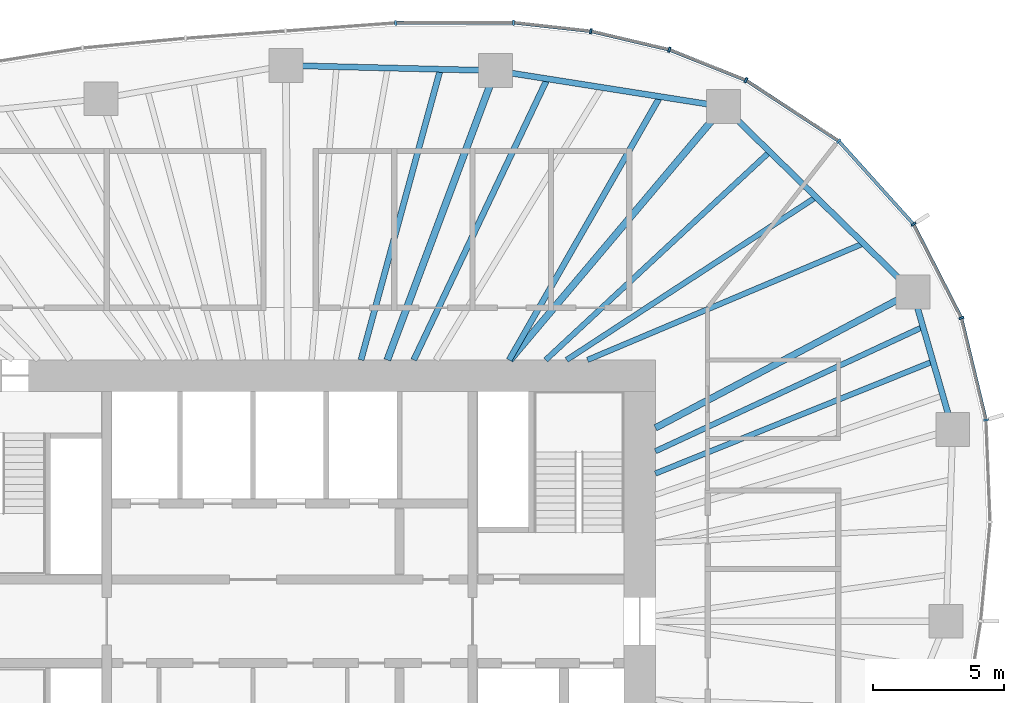
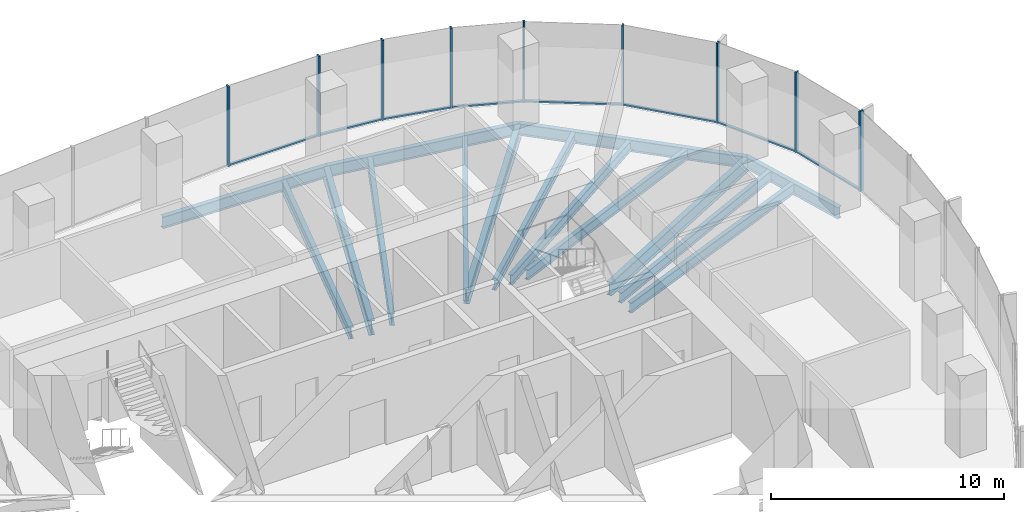
# One storey, part 6 of 11: 17 members, 15 beams, 4 elements without a shape of their own.
"""IFC4 building model written with IfcOpenShell, lengths in metres."""

from ifc_helpers import new_model, si_unit, direction, frame, origin, origin_2d, place, context, subcontext, project, spatial, rectangle, i_section, extrude, material, material_profile, profile_set, type_object, element, aggregate, save


model = new_model("IFC4")

# Units and contexts
model_context = context("Model", 3, precision=1e-05, world=origin(), true_north=direction((0.0, 1.0)))
body_context = subcontext(model_context, "Body", "Model", "MODEL_VIEW")
ifc_project = project(units=[si_unit("LENGTHUNIT", "METRE"), si_unit("AREAUNIT", "SQUARE_METRE"), si_unit("VOLUMEUNIT", "CUBIC_METRE"), si_unit("PLANEANGLEUNIT", "RADIAN"), si_unit("MASSUNIT", "GRAM", prefix="KILO")], contexts=[model_context])

# Site, building, storey
site_placement = place(None, origin())
site = spatial("IfcSite", under=ifc_project, at=site_placement, CompositionType="ELEMENT")
building_placement = place(site_placement, origin())
building = spatial("IfcBuilding", under=site, at=building_placement, Name="Ghaith Harvest Tower", CompositionType="ELEMENT")
storey_placement = place(building_placement, frame((0.0, 0.0, 211.60009765625)))
storey = spatial("IfcBuildingStorey", under=building, at=storey_placement, Name="L46", CompositionType="ELEMENT", Elevation=211.60009765625)

# Curtain wall, members
ifc_material_1 = material(Name="Black anodised aluminium and fritted glass", Category="aluminium")
curtain_wall_type = type_object("IfcCurtainWallType", Name="CW-H CURTAIN WALL", PredefinedType="NOTDEFINED", material=ifc_material_1)
curtain_wall_1_placement = place(storey_placement, origin())
curtain_wall_1 = element("IfcCurtainWall", 1, at=curtain_wall_1_placement, inside=storey, type_object=curtain_wall_type, Name="Curtain wall CW-H bay 02 L46", PredefinedType="NOTDEFINED")
ifc_material_2 = material(Name="Aluminium, black anodised", Category="aluminium")
ifc_material_profile_1 = material_profile(ifc_material_2, rectangle(XDim=0.080078125, YDim=0.199951171875, at=origin_2d()), Name="CW-H MULLION 80x200")
ifc_profile_set_1 = profile_set([ifc_material_profile_1], Name="Aluminium, black anodised")
member_type_1 = type_object("IfcMemberType", Name="CW-H MULLION 80x200", PredefinedType="MULLION", material=ifc_profile_set_1)
member_1_placement = place(storey_placement, frame((26.646484375, 7.701416015625, 0.0), z_axis=(0.0, 0.0, 1.0), x_axis=(-0.139146256981, 0.990271841046, 0.0)))
member_1 = element("IfcMember", 2, at=member_1_placement, type_object=member_type_1, Name="CW-H mullion 1 bay 02 L46", PredefinedType="MULLION", context=body_context, shape_type="SweptSolid", body=[
    extrude(rectangle(XDim=0.080078125, YDim=0.199951171875, at=origin_2d()), origin(), (0.0, 0.0, 1.0), 4.199951171875),
])
member_2_placement = place(storey_placement, frame((25.707275390625, 11.60546875, 0.0), z_axis=(0.0, 0.0, 1.0), x_axis=(-0.347012123561, 0.93786064322, 0.0)))
member_2 = element("IfcMember", 3, at=member_2_placement, type_object=member_type_1, Name="CW-H mullion 2 bay 02 L46", PredefinedType="MULLION", context=body_context, shape_type="SweptSolid", body=[
    extrude(rectangle(XDim=0.080078125, YDim=0.199951171875, at=origin_2d()), origin(), (0.0, 0.0, 1.0), 4.199951171875),
])

curtain_wall_2_placement = place(storey_placement, origin())
curtain_wall_2 = element("IfcCurtainWall", 4, at=curtain_wall_2_placement, inside=storey, type_object=curtain_wall_type, Name="Curtain wall CW-H bay 03 L46", PredefinedType="NOTDEFINED")
member_3_placement = place(storey_placement, frame((23.874267578125, 15.19384765625, 0.0), z_axis=(0.0, 0.0, 1.0), x_axis=(-0.569847382909, 0.821750546207, 0.0)))
member_3 = element("IfcMember", 5, at=member_3_placement, type_object=member_type_1, Name="CW-H mullion 1 bay 03 L46", PredefinedType="MULLION", context=body_context, shape_type="SweptSolid", body=[
    extrude(rectangle(XDim=0.080078125, YDim=0.199951171875, at=origin_2d()), origin(), (0.0, 0.0, 1.0), 4.199951171875),
])
member_4_placement = place(storey_placement, frame((21.013427734375, 18.374267578125, 0.0), z_axis=(0.0, 0.0, 1.0), x_axis=(-0.758541332755, 0.651624927778, 0.0)))
member_4 = element("IfcMember", 6, at=member_4_placement, type_object=member_type_1, Name="CW-H mullion 2 bay 03 L46", PredefinedType="MULLION", context=body_context, shape_type="SweptSolid", body=[
    extrude(rectangle(XDim=0.080078125, YDim=0.199951171875, at=origin_2d()), origin(), (0.0, 0.0, 1.0), 4.199951171875),
])

curtain_wall_3_placement = place(storey_placement, origin())
curtain_wall_3 = element("IfcCurtainWall", 7, at=curtain_wall_3_placement, inside=storey, type_object=curtain_wall_type, Name="Curtain wall CW-H bay 04 L46", PredefinedType="NOTDEFINED")
member_5_placement = place(storey_placement, frame((17.45947265625, 20.704345703125, 0.0), z_axis=(0.0, 0.0, 1.0), x_axis=(-0.880203412003, 0.474596621878, 0.0)))
member_5 = element("IfcMember", 8, at=member_5_placement, type_object=member_type_1, Name="CW-H mullion 1 bay 04 L46", PredefinedType="MULLION", context=body_context, shape_type="SweptSolid", body=[
    extrude(rectangle(XDim=0.080078125, YDim=0.199951171875, at=origin_2d()), origin(), (0.0, 0.0, 1.0), 4.199951171875),
])
member_6_placement = place(storey_placement, frame((14.52734375, 21.871337890625, 0.0), z_axis=(0.0, 0.0, 1.0), x_axis=(-0.953502908871, 0.30138381306, 0.0)))
member_6 = element("IfcMember", 9, at=member_6_placement, type_object=member_type_1, Name="CW-H mullion 2 bay 04 L46", PredefinedType="MULLION", context=body_context, shape_type="SweptSolid", body=[
    extrude(rectangle(XDim=0.080078125, YDim=0.199951171875, at=origin_2d()), origin(), (0.0, 0.0, 1.0), 4.199951171875),
])
member_7_placement = place(storey_placement, frame((11.527099609375, 22.579345703125, 0.0), z_axis=(0.0, 0.0, 1.0), x_axis=(-0.985193373388, 0.171446834417, 0.0)))
member_7 = element("IfcMember", 10, at=member_7_placement, type_object=member_type_1, Name="CW-H mullion 3 bay 04 L46", PredefinedType="MULLION", context=body_context, shape_type="SweptSolid", body=[
    extrude(rectangle(XDim=0.080078125, YDim=0.199951171875, at=origin_2d()), origin(), (0.0, 0.0, 1.0), 4.199951171875),
])

curtain_wall_4_placement = place(storey_placement, origin())
curtain_wall_4 = element("IfcCurtainWall", 11, at=curtain_wall_4_placement, inside=storey, type_object=curtain_wall_type, Name="Curtain wall CW-H bay 05 L46", PredefinedType="NOTDEFINED")
member_8_placement = place(storey_placement, frame((8.564208984375, 22.9091796875, 0.0), z_axis=(0.0, 0.0, 1.0), x_axis=(-0.999083519493, 0.042803283493, 0.0)))
member_8 = element("IfcMember", 12, at=member_8_placement, type_object=member_type_1, Name="CW-H mullion 1 bay 05 L46", PredefinedType="MULLION", context=body_context, shape_type="SweptSolid", body=[
    extrude(rectangle(XDim=0.080078125, YDim=0.199951171875, at=origin_2d()), origin(), (0.0, 0.0, 1.0), 4.199951171875),
])
member_9_placement = place(storey_placement, frame((4.0595703125, 22.8994140625, 0.0), z_axis=(0.0, 0.0, 1.0), x_axis=(-0.999332779724, -0.036523901335, 0.0)))
member_9 = element("IfcMember", 13, at=member_9_placement, type_object=member_type_1, Name="CW-H mullion 2 bay 05 L46", PredefinedType="MULLION", context=body_context, shape_type="SweptSolid", body=[
    extrude(rectangle(XDim=0.080078125, YDim=0.199951171875, at=origin_2d()), origin(), (0.0, 0.0, 1.0), 4.199951171875),
])

# Member
ifc_material_3 = material(Name="Aluminium, black anodised", Category="aluminium")
ifc_material_profile_2 = material_profile(ifc_material_3, rectangle(XDim=0.1298828125, YDim=0.080078125, at=origin_2d()), Name="CW-H TRANSOM 130x80")
ifc_profile_set_2 = profile_set([ifc_material_profile_2], Name="Aluminium, black anodised")
member_type_2 = type_object("IfcMemberType", Name="CW-H TRANSOM 130x80", PredefinedType="USERDEFINED", material=ifc_profile_set_2)
member_10_placement = place(storey_placement, frame((26.636962890625, 7.740234375, 0.039794921875), z_axis=(-0.233870324689, 0.972267798104, 0.0), x_axis=(-0.972267798104, -0.233870324689, 0.0)))
member_10 = element("IfcMember", 14, at=member_10_placement, type_object=member_type_2, Name="CW-H transom 1 bay 02 L46", ObjectType="TRANSOM", PredefinedType="USERDEFINED", context=body_context, shape_type="SweptSolid", body=[
    extrude(rectangle(XDim=0.1298828125, YDim=0.080078125, at=origin_2d()), origin(), (0.0, 0.0, 1.0), 3.935546875),
])

member_11_placement = place(storey_placement, frame((25.68896484375, 11.64111328125, 0.039794921875), z_axis=(-0.454911728312, 0.890536534592, 0.0), x_axis=(-0.890536534592, -0.454911728312, 0.0)))
member_11 = element("IfcMember", 15, at=member_11_placement, type_object=member_type_2, Name="CW-H transom 2 bay 02 L46", ObjectType="TRANSOM", PredefinedType="USERDEFINED", context=body_context, shape_type="SweptSolid", body=[
    extrude(rectangle(XDim=0.1298828125, YDim=0.080078125, at=origin_2d()), origin(), (0.0, 0.0, 1.0), 3.949462890625),
])

aggregate(curtain_wall_1, [member_1, member_10, member_2, member_11])

member_12_placement = place(storey_placement, frame((23.847412109375, 15.223388671875, 0.039794921875), z_axis=(-0.668752638518, 0.743484975286, 0.0), x_axis=(-0.743484975286, -0.668752638518, 0.0)))
member_12 = element("IfcMember", 16, at=member_12_placement, type_object=member_type_2, Name="CW-H transom 1 bay 03 L46", ObjectType="TRANSOM", PredefinedType="USERDEFINED", context=body_context, shape_type="SweptSolid", body=[
    extrude(rectangle(XDim=0.1298828125, YDim=0.080078125, at=origin_2d()), origin(), (0.0, 0.0, 1.0), 4.197998046875),
])

member_13_placement = place(storey_placement, frame((20.97998046875, 18.39599609375, 0.039794921875), z_axis=(-0.836268574396, 0.548320044753, 0.0), x_axis=(-0.548320044753, -0.836268574396, 0.0)))
member_13 = element("IfcMember", 17, at=member_13_placement, type_object=member_type_2, Name="CW-H transom 2 bay 03 L46", ObjectType="TRANSOM", PredefinedType="USERDEFINED", context=body_context, shape_type="SweptSolid", body=[
    extrude(rectangle(XDim=0.1298828125, YDim=0.080078125, at=origin_2d()), origin(), (0.0, 0.0, 1.0), 4.169677734375),
])

aggregate(curtain_wall_2, [member_3, member_12, member_4, member_13])

member_14_placement = place(storey_placement, frame((17.42236328125, 20.71923828125, 0.039794921875), z_axis=(-0.929115751434, 0.369789021521, 0.0), x_axis=(-0.369789021521, -0.929115751434, 0.0)))
member_14 = element("IfcMember", 18, at=member_14_placement, type_object=member_type_2, Name="CW-H transom 1 bay 04 L46", ObjectType="TRANSOM", PredefinedType="USERDEFINED", context=body_context, shape_type="SweptSolid", body=[
    extrude(rectangle(XDim=0.1298828125, YDim=0.080078125, at=origin_2d()), origin(), (0.0, 0.0, 1.0), 3.075927734375),
])

member_15_placement = place(storey_placement, frame((14.48828125, 21.880615234375, 0.039794921875), z_axis=(-0.97325803677, 0.229714592186, 0.0), x_axis=(-0.229714592186, -0.97325803677, 0.0)))
member_15 = element("IfcMember", 19, at=member_15_placement, type_object=member_type_2, Name="CW-H transom 2 bay 04 L46", ObjectType="TRANSOM", PredefinedType="USERDEFINED", context=body_context, shape_type="SweptSolid", body=[
    extrude(rectangle(XDim=0.1298828125, YDim=0.080078125, at=origin_2d()), origin(), (0.0, 0.0, 1.0), 3.00244140625),
])

member_16_placement = place(storey_placement, frame((11.4873046875, 22.583984375, 0.039794921875), z_axis=(-0.993867303252, 0.110579308762, 0.0), x_axis=(-0.110579308762, -0.993867303252, 0.0)))
member_16 = element("IfcMember", 20, at=member_16_placement, type_object=member_type_2, Name="CW-H transom 3 bay 04 L46", ObjectType="TRANSOM", PredefinedType="USERDEFINED", context=body_context, shape_type="SweptSolid", body=[
    extrude(rectangle(XDim=0.1298828125, YDim=0.080078125, at=origin_2d()), origin(), (0.0, 0.0, 1.0), 2.901123046875),
])

aggregate(curtain_wall_3, [member_5, member_14, member_6, member_15, member_7, member_16])

member_17_placement = place(storey_placement, frame((8.524169921875, 22.9091796875, 0.039794921875), z_axis=(-0.999997564275, -0.002207134722, 0.0), x_axis=(0.002207134722, -0.999997564275, 0.0)))
member_17 = element("IfcMember", 21, at=member_17_placement, type_object=member_type_2, Name="CW-H transom 1 bay 05 L46", ObjectType="TRANSOM", PredefinedType="USERDEFINED", context=body_context, shape_type="SweptSolid", body=[
    extrude(rectangle(XDim=0.1298828125, YDim=0.080078125, at=origin_2d()), origin(), (0.0, 0.0, 1.0), 4.424560546875),
])

aggregate(curtain_wall_4, [member_8, member_17, member_9])

# Beams
ifc_material_4 = material(Name="Steel ASTM A992 Grade 50", Category="steel")
ifc_material_profile_3 = material_profile(ifc_material_4, i_section(OverallWidth=0.22900390625, OverallDepth=0.612060546875, WebThickness=0.011962890625, FlangeThickness=0.01953125, at=origin_2d()), Name="W610X125")
ifc_profile_set_3 = profile_set([ifc_material_profile_3], Name="Steel ASTM A992 Grade 50")
beam_type_1 = type_object("IfcBeamType", Name="E610-125 W610X125", PredefinedType="SPANDREL", material=ifc_profile_set_3)
beam_1_placement = place(storey_placement, frame((25.3779296875, 7.3349609375, -0.47607421875), z_axis=(-0.278021352648, 0.960574894254, 0.0), x_axis=(-0.960574894254, -0.278021352648, 0.0)))
element("IfcBeam", 22, at=beam_1_placement, inside=storey, type_object=beam_type_1, Name="Edge beam E02 L46", PredefinedType="SPANDREL", context=body_context, shape_type="SweptSolid", body=[
    extrude(i_section(OverallWidth=0.22900390625, OverallDepth=0.612060546875, WebThickness=0.011962890625, FlangeThickness=0.01953125, at=origin_2d()), origin(), (0.0, 0.0, 1.0), 5.48828125),
])
beam_2_placement = place(storey_placement, frame((23.85205078125, 12.60693359375, -0.47607421875), z_axis=(-0.714761249388, 0.699368541166, 0.0), x_axis=(-0.699368541166, -0.714761249388, 0.0)))
element("IfcBeam", 23, at=beam_2_placement, inside=storey, type_object=beam_type_1, Name="Edge beam E03 L46", PredefinedType="SPANDREL", context=body_context, shape_type="SweptSolid", body=[
    extrude(i_section(OverallWidth=0.22900390625, OverallDepth=0.612060546875, WebThickness=0.011962890625, FlangeThickness=0.01953125, at=origin_2d()), origin(), (0.0, 0.0, 1.0), 10.135009765625),
])
beam_3_placement = place(storey_placement, frame((16.60791015625, 19.695068359375, -0.47607421875), z_axis=(-0.987788485872, 0.155800857439, 0.0), x_axis=(-0.155800857439, -0.987788485872, 0.0)))
element("IfcBeam", 24, at=beam_3_placement, inside=storey, type_object=beam_type_1, Name="Edge beam E04 L46", PredefinedType="SPANDREL", context=body_context, shape_type="SweptSolid", body=[
    extrude(i_section(OverallWidth=0.22900390625, OverallDepth=0.612060546875, WebThickness=0.011962890625, FlangeThickness=0.01953125, at=origin_2d()), origin(), (0.0, 0.0, 1.0), 8.837890625),
])
beam_4_placement = place(storey_placement, frame((7.8779296875, 21.072021484375, -0.47607421875), z_axis=(-0.999692679676, 0.024790042413, 0.0), x_axis=(-0.024790042413, -0.999692679676, 0.0)))
element("IfcBeam", 25, at=beam_4_placement, inside=storey, type_object=beam_type_1, Name="Edge beam E05 L46", PredefinedType="SPANDREL", context=body_context, shape_type="SweptSolid", body=[
    extrude(i_section(OverallWidth=0.22900390625, OverallDepth=0.612060546875, WebThickness=0.011962890625, FlangeThickness=0.01953125, at=origin_2d()), origin(), (0.0, 0.0, 1.0), 8.0263671875),
])
ifc_material_5 = material(Name="Steel ASTM A992 Grade 50", Category="steel")
ifc_material_profile_4 = material_profile(ifc_material_5, i_section(OverallWidth=0.256103515625, OverallDepth=0.693115234375, WebThickness=0.014404296875, FlangeThickness=0.023681640625, at=origin_2d()), Name="W690X170")
ifc_profile_set_4 = profile_set([ifc_material_profile_4], Name="Steel ASTM A992 Grade 50")
beam_type_2 = type_object("IfcBeamType", Name="G690-170 W690X170", PredefinedType="BEAM", material=ifc_profile_set_4)
beam_5_placement = place(storey_placement, frame((14.0, 7.39990234375, -0.5166015625), z_axis=(0.884112784119, 0.467273565438, 0.0), x_axis=(-0.467273565438, 0.884112784119, 0.0)))
element("IfcBeam", 26, at=beam_5_placement, inside=storey, type_object=beam_type_2, Name="Radial girder G03 L46", PredefinedType="BEAM", context=body_context, shape_type="SweptSolid", body=[
    extrude(i_section(OverallWidth=0.256103515625, OverallDepth=0.693115234375, WebThickness=0.014404296875, FlangeThickness=0.023681640625, at=origin_2d()), origin(), (0.0, 0.0, 1.0), 11.143310546875),
])
ifc_material_6 = material(Name="Steel ASTM A992 Grade 50", Category="steel")
ifc_material_profile_5 = material_profile(ifc_material_6, i_section(OverallWidth=0.26806640625, OverallDepth=0.77001953125, WebThickness=0.015625, FlangeThickness=0.025390625, at=origin_2d()), Name="W760X196")
ifc_profile_set_5 = profile_set([ifc_material_profile_5], Name="Steel ASTM A992 Grade 50")
beam_type_3 = type_object("IfcBeamType", Name="G760-196 W760X196", PredefinedType="BEAM", material=ifc_profile_set_5)
beam_6_placement = place(storey_placement, frame((8.4326171875, 10.0, -0.55517578125), z_axis=(0.644644245772, 0.764482698557, 0.0), x_axis=(-0.764482698557, 0.644644245772, 0.0)))
element("IfcBeam", 27, at=beam_6_placement, inside=storey, type_object=beam_type_3, Name="Radial girder G04 L46", PredefinedType="BEAM", context=body_context, shape_type="SweptSolid", body=[
    extrude(i_section(OverallWidth=0.26806640625, OverallDepth=0.77001953125, WebThickness=0.015625, FlangeThickness=0.025390625, at=origin_2d()), origin(), (0.0, 0.0, 1.0), 12.681884765625),
])
beam_7_placement = place(storey_placement, frame((3.73828125, 10.0, -0.55517578125), z_axis=(0.350206582147, 0.936672488024, 0.0), x_axis=(-0.936672488024, 0.350206582147, 0.0)))
element("IfcBeam", 28, at=beam_7_placement, inside=storey, type_object=beam_type_3, Name="Radial girder G05 L46", PredefinedType="BEAM", context=body_context, shape_type="SweptSolid", body=[
    extrude(i_section(OverallWidth=0.26806640625, OverallDepth=0.77001953125, WebThickness=0.015625, FlangeThickness=0.025390625, at=origin_2d()), origin(), (0.0, 0.0, 1.0), 11.820556640625),
])
ifc_material_7 = material(Name="Steel ASTM A992 Grade 50", Category="steel")
ifc_material_profile_6 = material_profile(ifc_material_7, i_section(OverallWidth=0.2109375, OverallDepth=0.5390625, WebThickness=0.01171875, FlangeThickness=0.018798828125, at=origin_2d()), Name="W530X109")
ifc_profile_set_6 = profile_set([ifc_material_profile_6], Name="Steel ASTM A992 Grade 50")
beam_type_4 = type_object("IfcBeamType", Name="J530-109 W530X109", PredefinedType="JOIST", material=ifc_profile_set_6)
beam_8_placement = place(storey_placement, frame((14.0, 5.653564453125, -0.439697265625), z_axis=(0.927250374508, 0.37444190868, 0.0), x_axis=(-0.37444190868, 0.927250374508, 0.0)))
element("IfcBeam", 29, at=beam_8_placement, inside=storey, type_object=beam_type_4, Name="Joist J02.2 L46", PredefinedType="JOIST", context=body_context, shape_type="SweptSolid", body=[
    extrude(i_section(OverallWidth=0.2109375, OverallDepth=0.5390625, WebThickness=0.01171875, FlangeThickness=0.018798828125, at=origin_2d()), origin(), (0.0, 0.0, 1.0), 11.45654296875),
])
beam_9_placement = place(storey_placement, frame((14.0, 6.506103515625, -0.439697265625), z_axis=(0.906864105655, 0.421423176718, 0.0), x_axis=(-0.421423176718, 0.906864105655, 0.0)))
element("IfcBeam", 30, at=beam_9_placement, inside=storey, type_object=beam_type_4, Name="Joist J02.3 L46", PredefinedType="JOIST", context=body_context, shape_type="SweptSolid", body=[
    extrude(i_section(OverallWidth=0.2109375, OverallDepth=0.5390625, WebThickness=0.01171875, FlangeThickness=0.018798828125, at=origin_2d()), origin(), (0.0, 0.0, 1.0), 11.292236328125),
])
beam_10_placement = place(storey_placement, frame((11.39990234375, 10.0, -0.439697265625), z_axis=(0.92127415213, 0.388913790727, 0.0), x_axis=(-0.388913790727, 0.92127415213, 0.0)))
element("IfcBeam", 31, at=beam_10_placement, inside=storey, type_object=beam_type_4, Name="Joist J03.1 L46", PredefinedType="JOIST", context=body_context, shape_type="SweptSolid", body=[
    extrude(i_section(OverallWidth=0.2109375, OverallDepth=0.5390625, WebThickness=0.01171875, FlangeThickness=0.018798828125, at=origin_2d()), origin(), (0.0, 0.0, 1.0), 11.462646484375),
])
beam_11_placement = place(storey_placement, frame((10.60009765625, 10.0, -0.439697265625), z_axis=(0.837329320942, 0.546698827775, 0.0), x_axis=(-0.546698827775, 0.837329320942, 0.0)))
element("IfcBeam", 32, at=beam_11_placement, inside=storey, type_object=beam_type_4, Name="Joist J03.2 L46", PredefinedType="JOIST", context=body_context, shape_type="SweptSolid", body=[
    extrude(i_section(OverallWidth=0.2109375, OverallDepth=0.5390625, WebThickness=0.01171875, FlangeThickness=0.018798828125, at=origin_2d()), origin(), (0.0, 0.0, 1.0), 11.40087890625),
])
beam_12_placement = place(storey_placement, frame((9.800048828125, 10.0, -0.439697265625), z_axis=(0.732519288302, 0.680746275984, 0.0), x_axis=(-0.680746275984, 0.732519288302, 0.0)))
element("IfcBeam", 33, at=beam_12_placement, inside=storey, type_object=beam_type_4, Name="Joist J03.3 L46", PredefinedType="JOIST", context=body_context, shape_type="SweptSolid", body=[
    extrude(i_section(OverallWidth=0.2109375, OverallDepth=0.5390625, WebThickness=0.01171875, FlangeThickness=0.018798828125, at=origin_2d()), origin(), (0.0, 0.0, 1.0), 11.7041015625),
])
ifc_material_8 = material(Name="Steel ASTM A992 Grade 50", Category="steel")
ifc_material_profile_7 = material_profile(ifc_material_8, i_section(OverallWidth=0.22900390625, OverallDepth=0.612060546875, WebThickness=0.011962890625, FlangeThickness=0.01953125, at=origin_2d()), Name="W610X125")
ifc_profile_set_7 = profile_set([ifc_material_profile_7], Name="Steel ASTM A992 Grade 50")
beam_type_5 = type_object("IfcBeamType", Name="J610-125 W610X125", PredefinedType="JOIST", material=ifc_profile_set_7)
beam_13_placement = place(storey_placement, frame((8.39990234375, 10.0, -0.47607421875), z_axis=(0.497444212127, 0.867495968764, 0.0), x_axis=(-0.867495968764, 0.497444212127, 0.0)))
element("IfcBeam", 34, at=beam_13_placement, inside=storey, type_object=beam_type_5, Name="Joist J04.1 L46", PredefinedType="JOIST", context=body_context, shape_type="SweptSolid", body=[
    extrude(i_section(OverallWidth=0.22900390625, OverallDepth=0.612060546875, WebThickness=0.011962890625, FlangeThickness=0.01953125, at=origin_2d()), origin(), (0.0, 0.0, 1.0), 11.617431640625),
])
beam_14_placement = place(storey_placement, frame((4.75, 10.0, -0.47607421875), z_axis=(0.429069356877, 0.903271546651, 0.0), x_axis=(-0.903271546651, 0.429069356877, 0.0)))
element("IfcBeam", 35, at=beam_14_placement, inside=storey, type_object=beam_type_5, Name="Joist J04.3 L46", PredefinedType="JOIST", context=body_context, shape_type="SweptSolid", body=[
    extrude(i_section(OverallWidth=0.22900390625, OverallDepth=0.612060546875, WebThickness=0.011962890625, FlangeThickness=0.01953125, at=origin_2d()), origin(), (0.0, 0.0, 1.0), 11.911376953125),
])
beam_15_placement = place(storey_placement, frame((2.73095703125, 10.0, -0.47607421875), z_axis=(0.263455967932, 0.964671422279, 0.0), x_axis=(-0.964671422279, 0.263455967932, 0.0)))
element("IfcBeam", 36, at=beam_15_placement, inside=storey, type_object=beam_type_5, Name="Joist J05.1 L46", PredefinedType="JOIST", context=body_context, shape_type="SweptSolid", body=[
    extrude(i_section(OverallWidth=0.22900390625, OverallDepth=0.612060546875, WebThickness=0.011962890625, FlangeThickness=0.01953125, at=origin_2d()), origin(), (0.0, 0.0, 1.0), 11.53173828125),
])

save(model, "model.ifc")
